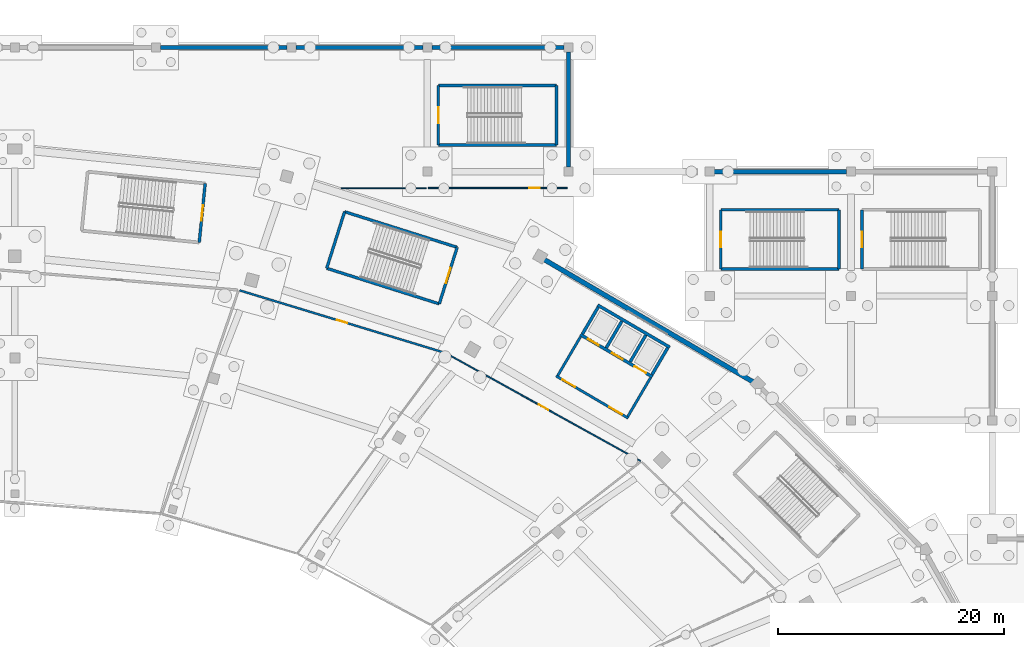
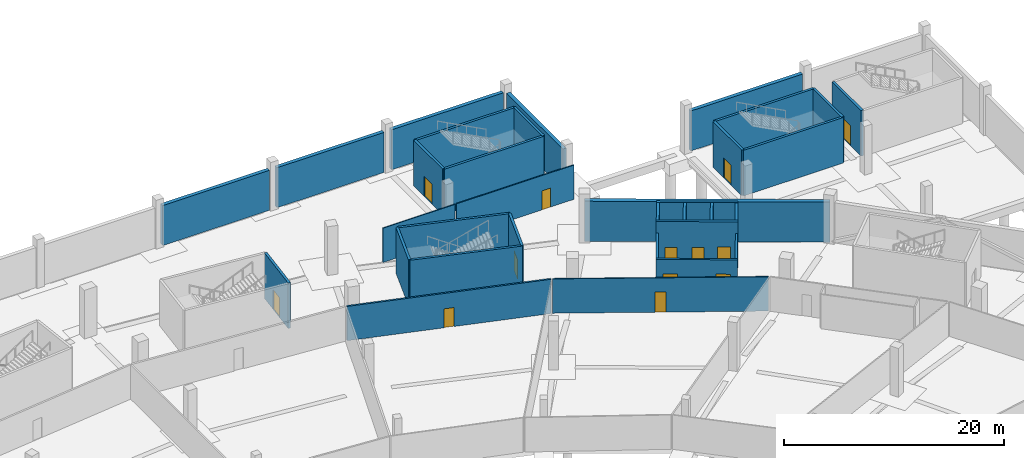
# One storey, part 47 of 74: 33 walls, 13 doors, 13 openings.
"""IFC4 building model written with IfcOpenShell, lengths in metres."""

from ifc_helpers import new_model, si_unit, direction, frame, frame_2d, origin, place, context, subcontext, project, spatial, rectangle, extrude, material, layer, layer_set, type_object, element, fill, save


model = new_model("IFC4")

# Units and contexts
model_context = context("Model", 3, precision=1e-05, world=origin(), true_north=direction((0.0, 1.0)))
body_context = subcontext(model_context, "Body", "Model", "MODEL_VIEW")
ifc_project = project(units=[si_unit("LENGTHUNIT", "METRE"), si_unit("AREAUNIT", "SQUARE_METRE"), si_unit("VOLUMEUNIT", "CUBIC_METRE"), si_unit("PLANEANGLEUNIT", "RADIAN"), si_unit("MASSUNIT", "GRAM", prefix="KILO")], contexts=[model_context])

# Site, building, storey
site_placement = place(None, origin())
site = spatial("IfcSite", under=ifc_project, at=site_placement, CompositionType="ELEMENT")
building_placement = place(site_placement, origin())
building = spatial("IfcBuilding", under=site, at=building_placement, Name="Zlatoyarsky Gate Stadium", CompositionType="ELEMENT")
storey_placement = place(building_placement, frame((0.0, 0.0, -5.39990234375)))
storey = spatial("IfcBuildingStorey", under=building, at=storey_placement, Name="B1", CompositionType="ELEMENT", Elevation=-5.39990234375)

# Wall, opening, door
ifc_material_1 = material(Name="Anodised aluminium acoustic operable wall", Category="aluminium")
ifc_layer_1 = layer(ifc_material_1, 0.114990234375)
ifc_layer_set_1 = layer_set([ifc_layer_1], Name="Anodised aluminium acoustic operable wall")
wall_type_1 = type_object("IfcWallType", Name="ACOUSTIC OPERABLE SUITE WALL 115", PredefinedType="MOVABLE", material=ifc_layer_set_1)
wall_1_placement = place(storey_placement, frame((147.5849609375, 147.550048828125, 0.0), z_axis=(0.0, 0.0, 1.0), x_axis=(1.0, 0.0, 0.0)))
wall_1 = element("IfcWall", 1, at=wall_1_placement, inside=storey, type_object=wall_type_1, Name="B1 interior partition PRT-B1-V2NC-SE2B", PredefinedType="MOVABLE", context=body_context, shape_type="SweptSolid", body=[
    extrude(rectangle(XDim=12.31005859375, YDim=0.114990234375, at=frame_2d((6.155029296875, 0.0))), origin(), (0.0, 0.0, 1.0), 3.7998046875),
])
opening_1_placement = place(wall_1_placement, frame((8.9599609375, 0.0, 0.0)))
opening_1 = element("IfcOpeningElement", 2, at=opening_1_placement, cuts=wall_1, Name="Opening D-B1-098", PredefinedType="OPENING", context=body_context, shape_type="SweptSolid", body=[
    extrude(rectangle(XDim=0.89990234375, YDim=2.10009765625, at=frame_2d((0.449951171875, 1.050048828125))), frame((0.0, 0.0673828125, 0.0), z_axis=(0.0, -1.0, 0.0), x_axis=(1.0, 0.0, 0.0)), (0.0, 0.0, 1.0), 0.135009765625),
])
ifc_material_2 = material(Name="Solid-core oak veneer acoustic door", Category="wood")
door_type_1 = type_object("IfcDoorType", Name="ACOUSTIC INTERIOR DOOR 900X2100", OperationType="NOTDEFINED", PredefinedType="DOOR", material=ifc_material_2)
door_1_placement = place(opening_1_placement, origin())
door_1 = element("IfcDoor", 3, at=door_1_placement, inside=storey, type_object=door_type_1, Name="B1 room door D-B1-098", OperationType="SINGLE_SWING_RIGHT", OverallHeight=2.10009765625, OverallWidth=0.89990234375, PredefinedType="DOOR", context=body_context, shape_type="SweptSolid", body=[
    extrude(rectangle(XDim=0.89990234375, YDim=2.10009765625, at=frame_2d((0.449951171875, 1.050048828125))), frame((0.0, 0.02490234375, 0.0), z_axis=(0.0, -1.0, 0.0), x_axis=(1.0, 0.0, 0.0)), (0.0, 0.0, 1.0), 0.050048828125),
])
fill(opening_1, door_1)

# Walls
ifc_material_3 = material(Name="Concrete C35/45", Category="concrete")
ifc_layer_2 = layer(ifc_material_3, 0.419921875)
ifc_layer_set_2 = layer_set([ifc_layer_2], Name="Concrete C35/45")
wall_type_2 = type_object("IfcWallType", Name="CONCRETE BASEMENT RETAINING WALL 420", PredefinedType="SOLIDWALL", material=ifc_layer_set_2)
wall_2_placement = place(storey_placement, frame((176.7255859375, 130.169189453125, 0.0), z_axis=(0.0, 0.0, 1.0), x_axis=(-0.862881315776, 0.505406603523, 0.0)))
element("IfcWall", 4, at=wall_2_placement, inside=storey, type_object=wall_type_2, Name="B1 perimeter retaining wall sector 03", PredefinedType="SOLIDWALL", context=body_context, shape_type="SweptSolid", body=[
    extrude(rectangle(XDim=22.3095703125, YDim=0.419921875, at=frame_2d((11.15478515625, 0.0))), origin(), (0.0, 0.0, 1.0), 4.449951171875),
])
ifc_material_4 = material(Name="Concrete C40/50", Category="concrete")
ifc_layer_3 = layer(ifc_material_4, 0.27001953125)
ifc_layer_set_3 = layer_set([ifc_layer_3], Name="Concrete C40/50")
wall_type_3 = type_object("IfcWallType", Name="CONCRETE LIFT SHAFT SHEAR WALL 270", PredefinedType="SHEAR", material=ifc_layer_set_3)
wall_3_placement = place(storey_placement, frame((168.962646484375, 133.458984375, 0.0), z_axis=(0.0, 0.0, 1.0), x_axis=(-0.862865684113, 0.505433290534, 0.0)))
element("IfcWall", 5, at=wall_3_placement, inside=storey, type_object=wall_type_3, Name="C1 B1 lift shaft rear wall", PredefinedType="SHEAR", context=body_context, shape_type="SweptSolid", body=[
    extrude(rectangle(XDim=7.400146484375, YDim=0.27001953125, at=frame_2d((3.7001953125, 0.0))), origin(), (0.0, 0.0, 1.0), 5.0498046875),
])
for number, where, z_axis, x_axis, name in (
    (6, (168.772705078125, 133.402099609375, 0.0), (0.0, 0.0, 1.0), (-0.505465660416, -0.862846722275, 0.0), "C1 B1 lift shaft left wall"),
    (7, (162.62060546875, 137.006103515625, 0.0), (0.0, 0.0, 1.0), (-0.505465660416, -0.862846722275, 0.0), "C1 B1 lift shaft right wall"),
):
    element("IfcWall", number, at=place(storey_placement, frame(where, z_axis=z_axis, x_axis=x_axis)), inside=storey, type_object=wall_type_3, Name=name, PredefinedType="SHEAR", context=body_context, shape_type="SweptSolid", body=[
        extrude(rectangle(XDim=2.739990234375, YDim=0.27001953125, at=frame_2d((1.3701171875, 0.0))), origin(), (0.0, 0.0, 1.0), 5.0498046875),
    ])
wall_4_placement = place(storey_placement, frame((166.840087890625, 134.5341796875, 0.0), z_axis=(0.0, 0.0, 1.0), x_axis=(-0.505504523015, -0.862823954936, 0.0)))
element("IfcWall", 8, at=wall_4_placement, inside=storey, type_object=wall_type_3, Name="C1 B1 lift shaft divider 1", PredefinedType="SHEAR", context=body_context, shape_type="SweptSolid", body=[
    extrude(rectangle(XDim=2.73974609375, YDim=0.27001953125, at=frame_2d((1.369873046875, 0.0))), origin(), (0.0, 0.0, 1.0), 5.0498046875),
])
wall_5_placement = place(storey_placement, frame((164.72607421875, 135.772705078125, 0.0), z_axis=(0.0, 0.0, 1.0), x_axis=(-0.505465660416, -0.862846722275, 0.0)))
element("IfcWall", 9, at=wall_5_placement, inside=storey, type_object=wall_type_3, Name="C1 B1 lift shaft divider 2", PredefinedType="SHEAR", context=body_context, shape_type="SweptSolid", body=[
    extrude(rectangle(XDim=2.739990234375, YDim=0.27001953125, at=frame_2d((1.3701171875, 0.0))), origin(), (0.0, 0.0, 1.0), 5.0498046875),
])

# Wall, openings, doors
wall_6_placement = place(storey_placement, frame((167.430908203125, 130.844482421875, 0.0), z_axis=(0.0, 0.0, 1.0), x_axis=(-0.862842866418, 0.505472242434, 0.0)))
wall_6 = element("IfcWall", 10, at=wall_6_placement, inside=storey, type_object=wall_type_3, Name="C1 B1 lift landing front wall", PredefinedType="SHEAR", context=body_context, shape_type="SweptSolid", body=[
    extrude(rectangle(XDim=7.39990234375, YDim=0.27001953125, at=frame_2d((3.699951171875, 0.0))), origin(), (0.0, 0.0, 1.0), 5.0498046875),
])
opening_2_placement = place(wall_6_placement, frame((0.64990234375, 0.0, 0.0)))
opening_2 = element("IfcOpeningElement", 11, at=opening_2_placement, cuts=wall_6, Name="Opening LD-FL-01-B1", PredefinedType="OPENING", context=body_context, shape_type="SweptSolid", body=[
    extrude(rectangle(XDim=1.199951171875, YDim=2.25, at=frame_2d((0.60009765625, 1.125))), frame((0.0, 0.14501953125, 0.0), z_axis=(0.0, -1.0, 0.0), x_axis=(1.0, 0.0, 0.0)), (0.0, 0.0, 1.0), 0.2900390625),
])
opening_3_placement = place(wall_6_placement, frame((3.050048828125, 0.0, 0.0)))
opening_3 = element("IfcOpeningElement", 12, at=opening_3_placement, cuts=wall_6, Name="Opening LD-LF-01-B1", PredefinedType="OPENING", context=body_context, shape_type="SweptSolid", body=[
    extrude(rectangle(XDim=1.10009765625, YDim=2.199951171875, at=frame_2d((0.550048828125, 1.10009765625))), frame((0.0, 0.14501953125, 0.0), z_axis=(0.0, -1.0, 0.0), x_axis=(1.0, 0.0, 0.0)), (0.0, 0.0, 1.0), 0.2900390625),
])
opening_4_placement = place(wall_6_placement, frame((5.5, 0.0, 0.0)))
opening_4 = element("IfcOpeningElement", 13, at=opening_4_placement, cuts=wall_6, Name="Opening LD-LF-02-B1", PredefinedType="OPENING", context=body_context, shape_type="SweptSolid", body=[
    extrude(rectangle(XDim=1.10009765625, YDim=2.199951171875, at=frame_2d((0.550048828125, 1.10009765625))), frame((0.0, 0.14501953125, 0.0), z_axis=(0.0, -1.0, 0.0), x_axis=(1.0, 0.0, 0.0)), (0.0, 0.0, 1.0), 0.2900390625),
])
ifc_material_5 = material(Name="Powder-coated steel fire door", Category="steel")
door_type_2 = type_object("IfcDoorType", Name="STAINLESS LIFT LANDING SLIDING DOOR 1100X2200", OperationType="DOUBLE_DOOR_SLIDING", PredefinedType="DOOR", material=ifc_material_5)
door_2_placement = place(opening_3_placement, origin())
door_2 = element("IfcDoor", 14, at=door_2_placement, inside=storey, type_object=door_type_2, Name="Lift LF-01 B1 sliding landing door", OperationType="DOUBLE_DOOR_SLIDING", OverallHeight=2.199951171875, OverallWidth=1.10009765625, PredefinedType="DOOR", context=body_context, shape_type="SweptSolid", body=[
    extrude(rectangle(XDim=1.10009765625, YDim=2.199951171875, at=frame_2d((0.550048828125, 1.10009765625))), frame((0.0, 0.02490234375, 0.0), z_axis=(0.0, -1.0, 0.0), x_axis=(1.0, 0.0, 0.0)), (0.0, 0.0, 1.0), 0.050048828125),
])
fill(opening_3, door_2)
door_3_placement = place(opening_4_placement, origin())
door_3 = element("IfcDoor", 15, at=door_3_placement, inside=storey, type_object=door_type_2, Name="Lift LF-02 B1 sliding landing door", OperationType="DOUBLE_DOOR_SLIDING", OverallHeight=2.199951171875, OverallWidth=1.10009765625, PredefinedType="DOOR", context=body_context, shape_type="SweptSolid", body=[
    extrude(rectangle(XDim=1.10009765625, YDim=2.199951171875, at=frame_2d((0.550048828125, 1.10009765625))), frame((0.0, 0.02490234375, 0.0), z_axis=(0.0, -1.0, 0.0), x_axis=(1.0, 0.0, 0.0)), (0.0, 0.0, 1.0), 0.050048828125),
])
fill(opening_4, door_3)
door_type_3 = type_object("IfcDoorType", Name="STAINLESS LIFT LANDING SLIDING DOOR 1200X2250", OperationType="DOUBLE_DOOR_SLIDING", PredefinedType="DOOR", material=ifc_material_5)
door_4_placement = place(opening_2_placement, origin())
door_4 = element("IfcDoor", 16, at=door_4_placement, inside=storey, type_object=door_type_3, Name="Lift FL-01 B1 sliding landing door", OperationType="DOUBLE_DOOR_SLIDING", OverallHeight=2.25, OverallWidth=1.199951171875, PredefinedType="DOOR", context=body_context, shape_type="SweptSolid", body=[
    extrude(rectangle(XDim=1.199951171875, YDim=2.25, at=frame_2d((0.60009765625, 1.125))), frame((0.0, 0.02490234375, 0.0), z_axis=(0.0, -1.0, 0.0), x_axis=(1.0, 0.0, 0.0)), (0.0, 0.0, 1.0), 0.050048828125),
])
fill(opening_2, door_4)

# Walls
ifc_layer_4 = layer(ifc_material_3, 0.3798828125)
ifc_layer_set_4 = layer_set([ifc_layer_4], Name="Concrete C35/45")
wall_type_4 = type_object("IfcWallType", Name="CONCRETE RAMP RETAINING WALL 380", PredefinedType="SOLIDWALL", material=ifc_layer_set_4)
for number, where, z_axis, x_axis, name in (
    (17, (123.89697265625, 160.0, 0.0), (0.0, 0.0, 1.0), (1.0, 0.0, 0.0), "V2_NORTH B1 N exterior wall"),
    (18, (135.89697265625, 160.0, 0.0), (0.0, 0.0, 1.0), (1.0, 0.0, 0.0), "V2_NORTH B1 N exterior wall"),
):
    element("IfcWall", number, at=place(storey_placement, frame(where, z_axis=z_axis, x_axis=x_axis)), inside=storey, type_object=wall_type_4, Name=name, PredefinedType="SOLIDWALL", context=body_context, shape_type="SweptSolid", body=[
        extrude(rectangle(XDim=11.2060546875, YDim=0.3798828125, at=frame_2d((5.60302734375, 0.0))), origin(), (0.0, 0.0, 1.0), 4.429931640625),
    ])
wall_7_placement = place(storey_placement, frame((147.89697265625, 160.0, 0.0), z_axis=(0.0, 0.0, 1.0), x_axis=(1.0, 0.0, 0.0)))
element("IfcWall", 19, at=wall_7_placement, inside=storey, type_object=wall_type_4, Name="V2_NORTH B1 N exterior wall", PredefinedType="SOLIDWALL", context=body_context, shape_type="SweptSolid", body=[
    extrude(rectangle(XDim=11.7060546875, YDim=0.3798828125, at=frame_2d((5.85302734375, 0.0))), origin(), (0.0, 0.0, 1.0), 4.429931640625),
])
wall_8_placement = place(storey_placement, frame((160.0, 149.39697265625, 0.0), z_axis=(0.0, 0.0, 1.0), x_axis=(0.0, 1.0, 0.0)))
element("IfcWall", 20, at=wall_8_placement, inside=storey, type_object=wall_type_4, Name="V2_NORTH B1 E exterior wall", PredefinedType="SOLIDWALL", context=body_context, shape_type="SweptSolid", body=[
    extrude(rectangle(XDim=10.2060546875, YDim=0.3798828125, at=frame_2d((5.10302734375, 0.0))), origin(), (0.0, 0.0, 1.0), 4.429931640625),
])
wall_9_placement = place(storey_placement, frame((172.89697265625, 149.0, 0.0), z_axis=(0.0, 0.0, 1.0), x_axis=(1.0, 0.0, 0.0)))
element("IfcWall", 21, at=wall_9_placement, inside=storey, type_object=wall_type_4, Name="V6_NE B1 N exterior wall", PredefinedType="SOLIDWALL", context=body_context, shape_type="SweptSolid", body=[
    extrude(rectangle(XDim=11.7060546875, YDim=0.3798828125, at=frame_2d((5.85302734375, 0.0))), origin(), (0.0, 0.0, 1.0), 4.429931640625),
])

# Wall, opening, door
ifc_layer_5 = layer(ifc_material_4, 0.25)
ifc_layer_set_5 = layer_set([ifc_layer_5], Name="Concrete C40/50")
wall_type_5 = type_object("IfcWallType", Name="CONCRETE STAIR CORE SHEAR WALL 250", PredefinedType="SHEAR", material=ifc_layer_set_5)
wall_10_placement = place(storey_placement, frame((148.563232421875, 137.30126953125, 0.0), z_axis=(0.0, 0.0, 1.0), x_axis=(0.30152749866, 0.953457480726, 0.0)))
wall_10 = element("IfcWall", 22, at=wall_10_placement, inside=storey, type_object=wall_type_5, Name="ST-03 B1 stair core entrance shear wall", PredefinedType="SHEAR", context=body_context, shape_type="SweptSolid", body=[
    extrude(rectangle(XDim=5.25, YDim=0.25, at=frame_2d((2.625, 0.0))), origin(), (0.0, 0.0, 1.0), 5.0498046875),
])
opening_5_placement = place(wall_10_placement, frame((1.925048828125, 0.0, 0.0)))
opening_5 = element("IfcOpeningElement", 23, at=opening_5_placement, cuts=wall_10, Name="Opening SD-ST-03-B1", PredefinedType="OPENING", context=body_context, shape_type="SweptSolid", body=[
    extrude(rectangle(XDim=1.39990234375, YDim=2.199951171875, at=frame_2d((0.699951171875, 1.10009765625))), frame((0.0, 0.135009765625, 0.0), z_axis=(0.0, -1.0, 0.0), x_axis=(1.0, 0.0, 0.0)), (0.0, 0.0, 1.0), 0.27001953125),
])
door_type_4 = type_object("IfcDoorType", Name="STAIR CORE FIRE EXIT DOOR 1400X2200", OperationType="NOTDEFINED", PredefinedType="DOOR", material=ifc_material_5)
door_5_placement = place(opening_5_placement, frame((1.39990234375, 0.0, 0.0), z_axis=(0.0, 0.0, 1.0), x_axis=(-1.0, 0.0, 0.0)))
door_5 = element("IfcDoor", 24, at=door_5_placement, inside=storey, type_object=door_type_4, Name="ST-03 B1 stair fire door", OperationType="SINGLE_SWING_RIGHT", OverallHeight=2.199951171875, OverallWidth=1.39990234375, PredefinedType="DOOR", context=body_context, shape_type="SweptSolid", body=[
    extrude(rectangle(XDim=1.39990234375, YDim=2.199951171875, at=frame_2d((0.699951171875, 1.10009765625))), frame((0.0, 0.02490234375, 0.0), z_axis=(0.0, -1.0, 0.0), x_axis=(1.0, 0.0, 0.0)), (0.0, 0.0, 1.0), 0.050048828125),
])
fill(opening_5, door_5)

# Walls
wall_11_placement = place(storey_placement, frame((150.146240234375, 142.306884765625, 0.0), z_axis=(0.0, 0.0, 1.0), x_axis=(-0.953461834254, 0.301513732061, 0.0)))
element("IfcWall", 25, at=wall_11_placement, inside=storey, type_object=wall_type_5, Name="ST-03 B1 stair core left shear wall", PredefinedType="SHEAR", context=body_context, shape_type="SweptSolid", body=[
    extrude(rectangle(XDim=10.4501953125, YDim=0.25, at=frame_2d((5.22509765625, 0.0))), origin(), (0.0, 0.0, 1.0), 5.0498046875),
])
wall_12_placement = place(storey_placement, frame((140.182373046875, 145.457763671875, 0.0), z_axis=(0.0, 0.0, 1.0), x_axis=(-0.301485222482, -0.953470849384, 0.0)))
element("IfcWall", 26, at=wall_12_placement, inside=storey, type_object=wall_type_5, Name="ST-03 B1 stair core far shear wall", PredefinedType="SHEAR", context=body_context, shape_type="SweptSolid", body=[
    extrude(rectangle(XDim=5.25, YDim=0.25, at=frame_2d((2.625, 0.0))), origin(), (0.0, 0.0, 1.0), 5.0498046875),
])
wall_13_placement = place(storey_placement, frame((138.599609375, 140.4521484375, 0.0), z_axis=(0.0, 0.0, 1.0), x_axis=(0.953459710305, -0.301520448438, 0.0)))
element("IfcWall", 27, at=wall_13_placement, inside=storey, type_object=wall_type_5, Name="ST-03 B1 stair core right shear wall", PredefinedType="SHEAR", context=body_context, shape_type="SweptSolid", body=[
    extrude(rectangle(XDim=10.449951171875, YDim=0.25, at=frame_2d((5.22509765625, 0.0))), origin(), (0.0, 0.0, 1.0), 5.0498046875),
])

# Wall, opening, door
wall_14_placement = place(storey_placement, frame((127.319091796875, 142.73388671875, 0.0), z_axis=(0.0, 0.0, 1.0), x_axis=(0.10002396577, 0.994985028165, 0.0)))
wall_14 = element("IfcWall", 28, at=wall_14_placement, inside=storey, type_object=wall_type_5, Name="ST-17 B1 stair core entrance shear wall", PredefinedType="SHEAR", context=body_context, shape_type="SweptSolid", body=[
    extrude(rectangle(XDim=5.250244140625, YDim=0.25, at=frame_2d((2.625, 0.0))), origin(), (0.0, 0.0, 1.0), 5.0498046875),
])
opening_6_placement = place(wall_14_placement, frame((1.925048828125, 0.0, 0.0)))
opening_6 = element("IfcOpeningElement", 29, at=opening_6_placement, cuts=wall_14, Name="Opening SD-ST-17-B1", PredefinedType="OPENING", context=body_context, shape_type="SweptSolid", body=[
    extrude(rectangle(XDim=1.39990234375, YDim=2.199951171875, at=frame_2d((0.699951171875, 1.10009765625))), frame((0.0, 0.135009765625, 0.0), z_axis=(0.0, -1.0, 0.0), x_axis=(1.0, 0.0, 0.0)), (0.0, 0.0, 1.0), 0.27001953125),
])
door_6_placement = place(opening_6_placement, frame((1.39990234375, 0.0, 0.0), z_axis=(0.0, 0.0, 1.0), x_axis=(-1.0, 0.0, 0.0)))
door_6 = element("IfcDoor", 30, at=door_6_placement, inside=storey, type_object=door_type_4, Name="ST-17 B1 stair fire door", OperationType="SINGLE_SWING_LEFT", OverallHeight=2.199951171875, OverallWidth=1.39990234375, PredefinedType="DOOR", context=body_context, shape_type="SweptSolid", body=[
    extrude(rectangle(XDim=1.39990234375, YDim=2.199951171875, at=frame_2d((0.699951171875, 1.10009765625))), frame((0.0, 0.02490234375, 0.0), z_axis=(0.0, -1.0, 0.0), x_axis=(1.0, 0.0, 0.0)), (0.0, 0.0, 1.0), 0.050048828125),
])
fill(opening_6, door_6)

wall_15_placement = place(storey_placement, frame((173.47509765625, 145.625, 0.0), z_axis=(0.0, 0.0, 1.0), x_axis=(0.0, -1.0, 0.0)))
wall_15 = element("IfcWall", 31, at=wall_15_placement, inside=storey, type_object=wall_type_5, Name="ST-27 B1 stair core entrance shear wall", PredefinedType="SHEAR", context=body_context, shape_type="SweptSolid", body=[
    extrude(rectangle(XDim=5.25, YDim=0.25, at=frame_2d((2.625, 0.0))), origin(), (0.0, 0.0, 1.0), 5.0498046875),
])
opening_7_placement = place(wall_15_placement, frame((1.925048828125, 0.0, 0.0)))
opening_7 = element("IfcOpeningElement", 32, at=opening_7_placement, cuts=wall_15, Name="Opening SD-ST-27-B1", PredefinedType="OPENING", context=body_context, shape_type="SweptSolid", body=[
    extrude(rectangle(XDim=1.39990234375, YDim=2.199951171875, at=frame_2d((0.699951171875, 1.10009765625))), frame((0.0, 0.135009765625, 0.0), z_axis=(0.0, -1.0, 0.0), x_axis=(1.0, 0.0, 0.0)), (0.0, 0.0, 1.0), 0.27001953125),
])
door_7_placement = place(opening_7_placement, frame((1.39990234375, 0.0, 0.0), z_axis=(0.0, 0.0, 1.0), x_axis=(-1.0, 0.0, 0.0)))
door_7 = element("IfcDoor", 33, at=door_7_placement, inside=storey, type_object=door_type_4, Name="ST-27 B1 stair fire door", OperationType="SINGLE_SWING_LEFT", OverallHeight=2.199951171875, OverallWidth=1.39990234375, PredefinedType="DOOR", context=body_context, shape_type="SweptSolid", body=[
    extrude(rectangle(XDim=1.39990234375, YDim=2.199951171875, at=frame_2d((0.699951171875, 1.10009765625))), frame((0.0, 0.02490234375, 0.0), z_axis=(0.0, -1.0, 0.0), x_axis=(1.0, 0.0, 0.0)), (0.0, 0.0, 1.0), 0.050048828125),
])
fill(opening_7, door_7)

# Walls
wall_16_placement = place(storey_placement, frame((173.47509765625, 140.375, 0.0), z_axis=(0.0, 0.0, 1.0), x_axis=(1.0, 0.0, 0.0)))
element("IfcWall", 34, at=wall_16_placement, inside=storey, type_object=wall_type_5, Name="ST-27 B1 stair core left shear wall", PredefinedType="SHEAR", context=body_context, shape_type="SweptSolid", body=[
    extrude(rectangle(XDim=10.449951171875, YDim=0.25, at=frame_2d((5.22509765625, 0.0))), origin(), (0.0, 0.0, 1.0), 5.0498046875),
])
wall_17_placement = place(storey_placement, frame((183.925048828125, 140.375, 0.0), z_axis=(0.0, 0.0, 1.0), x_axis=(0.0, 1.0, 0.0)))
element("IfcWall", 35, at=wall_17_placement, inside=storey, type_object=wall_type_5, Name="ST-27 B1 stair core far shear wall", PredefinedType="SHEAR", context=body_context, shape_type="SweptSolid", body=[
    extrude(rectangle(XDim=5.25, YDim=0.25, at=frame_2d((2.625, 0.0))), origin(), (0.0, 0.0, 1.0), 5.0498046875),
])
wall_18_placement = place(storey_placement, frame((183.925048828125, 145.625, 0.0), z_axis=(0.0, 0.0, 1.0), x_axis=(-1.0, 0.0, 0.0)))
element("IfcWall", 36, at=wall_18_placement, inside=storey, type_object=wall_type_5, Name="ST-27 B1 stair core right shear wall", PredefinedType="SHEAR", context=body_context, shape_type="SweptSolid", body=[
    extrude(rectangle(XDim=10.449951171875, YDim=0.25, at=frame_2d((5.22509765625, 0.0))), origin(), (0.0, 0.0, 1.0), 5.0498046875),
])

# Wall, opening, door
wall_19_placement = place(storey_placement, frame((185.97509765625, 145.625, 0.0), z_axis=(0.0, 0.0, 1.0), x_axis=(0.0, -1.0, 0.0)))
wall_19 = element("IfcWall", 37, at=wall_19_placement, inside=storey, type_object=wall_type_5, Name="ST-28 B1 stair core entrance shear wall", PredefinedType="SHEAR", context=body_context, shape_type="SweptSolid", body=[
    extrude(rectangle(XDim=5.25, YDim=0.25, at=frame_2d((2.625, 0.0))), origin(), (0.0, 0.0, 1.0), 5.0498046875),
])
opening_8_placement = place(wall_19_placement, frame((1.925048828125, 0.0, 0.0)))
opening_8 = element("IfcOpeningElement", 38, at=opening_8_placement, cuts=wall_19, Name="Opening SD-ST-28-B1", PredefinedType="OPENING", context=body_context, shape_type="SweptSolid", body=[
    extrude(rectangle(XDim=1.39990234375, YDim=2.199951171875, at=frame_2d((0.699951171875, 1.10009765625))), frame((0.0, 0.135009765625, 0.0), z_axis=(0.0, -1.0, 0.0), x_axis=(1.0, 0.0, 0.0)), (0.0, 0.0, 1.0), 0.27001953125),
])
door_8_placement = place(opening_8_placement, frame((1.39990234375, 0.0, 0.0), z_axis=(0.0, 0.0, 1.0), x_axis=(-1.0, 0.0, 0.0)))
door_8 = element("IfcDoor", 39, at=door_8_placement, inside=storey, type_object=door_type_4, Name="ST-28 B1 stair fire door", OperationType="SINGLE_SWING_RIGHT", OverallHeight=2.199951171875, OverallWidth=1.39990234375, PredefinedType="DOOR", context=body_context, shape_type="SweptSolid", body=[
    extrude(rectangle(XDim=1.39990234375, YDim=2.199951171875, at=frame_2d((0.699951171875, 1.10009765625))), frame((0.0, 0.02490234375, 0.0), z_axis=(0.0, -1.0, 0.0), x_axis=(1.0, 0.0, 0.0)), (0.0, 0.0, 1.0), 0.050048828125),
])
fill(opening_8, door_8)

wall_20_placement = place(storey_placement, frame((148.47509765625, 156.625, 0.0), z_axis=(0.0, 0.0, 1.0), x_axis=(0.0, -1.0, 0.0)))
wall_20 = element("IfcWall", 40, at=wall_20_placement, inside=storey, type_object=wall_type_5, Name="ST-32 B1 stair core entrance shear wall", PredefinedType="SHEAR", context=body_context, shape_type="SweptSolid", body=[
    extrude(rectangle(XDim=5.25, YDim=0.25, at=frame_2d((2.625, 0.0))), origin(), (0.0, 0.0, 1.0), 5.0498046875),
])
opening_9_placement = place(wall_20_placement, frame((1.925048828125, 0.0, 0.0)))
opening_9 = element("IfcOpeningElement", 41, at=opening_9_placement, cuts=wall_20, Name="Opening SD-ST-32-B1", PredefinedType="OPENING", context=body_context, shape_type="SweptSolid", body=[
    extrude(rectangle(XDim=1.39990234375, YDim=2.199951171875, at=frame_2d((0.699951171875, 1.10009765625))), frame((0.0, 0.135009765625, 0.0), z_axis=(0.0, -1.0, 0.0), x_axis=(1.0, 0.0, 0.0)), (0.0, 0.0, 1.0), 0.27001953125),
])
door_9_placement = place(opening_9_placement, frame((1.39990234375, 0.0, 0.0), z_axis=(0.0, 0.0, 1.0), x_axis=(-1.0, 0.0, 0.0)))
door_9 = element("IfcDoor", 42, at=door_9_placement, inside=storey, type_object=door_type_4, Name="ST-32 B1 stair fire door", OperationType="SINGLE_SWING_RIGHT", OverallHeight=2.199951171875, OverallWidth=1.39990234375, PredefinedType="DOOR", context=body_context, shape_type="SweptSolid", body=[
    extrude(rectangle(XDim=1.39990234375, YDim=2.199951171875, at=frame_2d((0.699951171875, 1.10009765625))), frame((0.0, 0.02490234375, 0.0), z_axis=(0.0, -1.0, 0.0), x_axis=(1.0, 0.0, 0.0)), (0.0, 0.0, 1.0), 0.050048828125),
])
fill(opening_9, door_9)

# Walls
wall_21_placement = place(storey_placement, frame((148.47509765625, 151.375, 0.0), z_axis=(0.0, 0.0, 1.0), x_axis=(1.0, 0.0, 0.0)))
element("IfcWall", 43, at=wall_21_placement, inside=storey, type_object=wall_type_5, Name="ST-32 B1 stair core left shear wall", PredefinedType="SHEAR", context=body_context, shape_type="SweptSolid", body=[
    extrude(rectangle(XDim=10.449951171875, YDim=0.25, at=frame_2d((5.22509765625, 0.0))), origin(), (0.0, 0.0, 1.0), 5.0498046875),
])
wall_22_placement = place(storey_placement, frame((158.925048828125, 151.375, 0.0), z_axis=(0.0, 0.0, 1.0), x_axis=(0.0, 1.0, 0.0)))
element("IfcWall", 44, at=wall_22_placement, inside=storey, type_object=wall_type_5, Name="ST-32 B1 stair core far shear wall", PredefinedType="SHEAR", context=body_context, shape_type="SweptSolid", body=[
    extrude(rectangle(XDim=5.25, YDim=0.25, at=frame_2d((2.625, 0.0))), origin(), (0.0, 0.0, 1.0), 5.0498046875),
])
wall_23_placement = place(storey_placement, frame((158.925048828125, 156.625, 0.0), z_axis=(0.0, 0.0, 1.0), x_axis=(-1.0, 0.0, 0.0)))
element("IfcWall", 45, at=wall_23_placement, inside=storey, type_object=wall_type_5, Name="ST-32 B1 stair core right shear wall", PredefinedType="SHEAR", context=body_context, shape_type="SweptSolid", body=[
    extrude(rectangle(XDim=10.449951171875, YDim=0.25, at=frame_2d((5.22509765625, 0.0))), origin(), (0.0, 0.0, 1.0), 5.0498046875),
])
ifc_material_6 = material(Name="Autoclaved aerated concrete masonry EI 120", Category="masonry")
ifc_layer_6 = layer(ifc_material_6, 0.219970703125)
ifc_layer_set_6 = layer_set([ifc_layer_6], Name="Autoclaved aerated concrete masonry EI 120")
wall_type_6 = type_object("IfcWallType", Name="FIREFIGHTING LOBBY RATED WALL 220", PredefinedType="PARTITIONING", material=ifc_layer_set_6)
for number, where, z_axis, x_axis, name in (
    (46, (167.2578125, 130.766357421875, 0.0), (0.0, 0.0, 1.0), (-0.505464443681, -0.862847435051, 0.0), "C1 B1 firefighting lobby left wall"),
    (47, (161.0625, 134.3955078125, 0.0), (0.0, 0.0, 1.0), (-0.505464443681, -0.862847435051, 0.0), "C1 B1 firefighting lobby right wall"),
):
    element("IfcWall", number, at=place(storey_placement, frame(where, z_axis=z_axis, x_axis=x_axis)), inside=storey, type_object=wall_type_6, Name=name, PredefinedType="PARTITIONING", context=body_context, shape_type="SweptSolid", body=[
        extrude(rectangle(XDim=3.97998046875, YDim=0.219970703125, at=frame_2d((1.989990234375, 0.0))), origin(), (0.0, 0.0, 1.0), 3.7998046875),
    ])

# Wall, openings, doors
wall_24_placement = place(storey_placement, frame((165.285400390625, 127.181640625, 0.0), z_axis=(0.0, 0.0, 1.0), x_axis=(-0.862851295616, 0.505457853488, 0.0)))
wall_24 = element("IfcWall", 48, at=wall_24_placement, inside=storey, type_object=wall_type_6, Name="C1 B1 firefighting lobby front wall", PredefinedType="PARTITIONING", context=body_context, shape_type="SweptSolid", body=[
    extrude(rectangle(XDim=7.400146484375, YDim=0.219970703125, at=frame_2d((3.7001953125, 0.0))), origin(), (0.0, 0.0, 1.0), 3.7998046875),
])
opening_10_placement = place(wall_24_placement, frame((0.64990234375, 0.0, 0.0)))
opening_10 = element("IfcOpeningElement", 49, at=opening_10_placement, cuts=wall_24, Name="Opening FD-C1-B1-A", PredefinedType="OPENING", context=body_context, shape_type="SweptSolid", body=[
    extrude(rectangle(XDim=1.300048828125, YDim=2.199951171875, at=frame_2d((0.64990234375, 1.10009765625))), frame((0.0, 0.119873046875, 0.0), z_axis=(0.0, -1.0, 0.0), x_axis=(1.0, 0.0, 0.0)), (0.0, 0.0, 1.0), 0.239990234375),
])
opening_11_placement = place(wall_24_placement, frame((5.449951171875, 0.0, 0.0)))
opening_11 = element("IfcOpeningElement", 50, at=opening_11_placement, cuts=wall_24, Name="Opening FD-C1-B1-B", PredefinedType="OPENING", context=body_context, shape_type="SweptSolid", body=[
    extrude(rectangle(XDim=1.300048828125, YDim=2.199951171875, at=frame_2d((0.64990234375, 1.10009765625))), frame((0.0, 0.119873046875, 0.0), z_axis=(0.0, -1.0, 0.0), x_axis=(1.0, 0.0, 0.0)), (0.0, 0.0, 1.0), 0.239990234375),
])
door_type_5 = type_object("IfcDoorType", Name="FIREFIGHTING LOBBY FIRE DOOR 1300X2200", OperationType="NOTDEFINED", PredefinedType="DOOR", material=ifc_material_5)
door_10_placement = place(opening_10_placement, origin())
door_10 = element("IfcDoor", 51, at=door_10_placement, inside=storey, type_object=door_type_5, Name="C1 B1 firefighting lobby fire door FD-C1-B1-A", OperationType="SINGLE_SWING_LEFT", OverallHeight=2.199951171875, OverallWidth=1.300048828125, PredefinedType="DOOR", context=body_context, shape_type="SweptSolid", body=[
    extrude(rectangle(XDim=1.300048828125, YDim=2.199951171875, at=frame_2d((0.64990234375, 1.10009765625))), frame((0.0, 0.02490234375, 0.0), z_axis=(0.0, -1.0, 0.0), x_axis=(1.0, 0.0, 0.0)), (0.0, 0.0, 1.0), 0.050048828125),
])
fill(opening_10, door_10)
door_11_placement = place(opening_11_placement, origin())
door_11 = element("IfcDoor", 52, at=door_11_placement, inside=storey, type_object=door_type_5, Name="C1 B1 firefighting lobby fire door FD-C1-B1-B", OperationType="SINGLE_SWING_RIGHT", OverallHeight=2.199951171875, OverallWidth=1.300048828125, PredefinedType="DOOR", context=body_context, shape_type="SweptSolid", body=[
    extrude(rectangle(XDim=1.300048828125, YDim=2.199951171875, at=frame_2d((0.64990234375, 1.10009765625))), frame((0.0, 0.02490234375, 0.0), z_axis=(0.0, -1.0, 0.0), x_axis=(1.0, 0.0, 0.0)), (0.0, 0.0, 1.0), 0.050048828125),
])
fill(opening_11, door_11)

# Wall, opening, door
ifc_material_7 = material(Name="Metal-stud gypsum partition", Category="gypsum")
ifc_layer_7 = layer(ifc_material_7, 0.110107421875)
ifc_layer_set_7 = layer_set([ifc_layer_7], Name="Metal-stud gypsum partition")
wall_type_7 = type_object("IfcWallType", Name="KIOSK SERVICE PARTITION 110", PredefinedType="PARTITIONING", material=ifc_layer_set_7)
wall_25_placement = place(storey_placement, frame((166.35888671875, 123.3994140625, 0.0), z_axis=(0.0, 0.0, 1.0), x_axis=(-0.874574509401, 0.484891150162, 0.0)))
wall_25 = element("IfcWall", 53, at=wall_25_placement, inside=storey, type_object=wall_type_7, Name="B1 interior partition PRT-B1-ICC-03", PredefinedType="PARTITIONING", context=body_context, shape_type="SweptSolid", body=[
    extrude(rectangle(XDim=19.609130859375, YDim=0.110107421875, at=frame_2d((9.8046875, 0.0))), origin(), (0.0, 0.0, 1.0), 3.7998046875),
])
opening_12_placement = place(wall_25_placement, frame((9.324462890625, 0.0, 0.0)))
opening_12 = element("IfcOpeningElement", 54, at=opening_12_placement, cuts=wall_25, Name="Opening D-B1-016", PredefinedType="OPENING", context=body_context, shape_type="SweptSolid", body=[
    extrude(rectangle(XDim=0.9599609375, YDim=2.239990234375, at=frame_2d((0.47998046875, 1.1201171875))), frame((0.0, 0.06494140625, 0.0), z_axis=(0.0, -1.0, 0.0), x_axis=(1.0, 0.0, 0.0)), (0.0, 0.0, 1.0), 0.130126953125),
])
door_type_6 = type_object("IfcDoorType", Name="ACOUSTIC INTERIOR DOOR 960X2240", OperationType="NOTDEFINED", PredefinedType="DOOR", material=ifc_material_2)
door_12_placement = place(opening_12_placement, origin())
door_12 = element("IfcDoor", 55, at=door_12_placement, inside=storey, type_object=door_type_6, Name="B1 room door D-B1-016", OperationType="SINGLE_SWING_LEFT", OverallHeight=2.239990234375, OverallWidth=0.9599609375, PredefinedType="DOOR", context=body_context, shape_type="SweptSolid", body=[
    extrude(rectangle(XDim=0.9599609375, YDim=2.239990234375, at=frame_2d((0.47998046875, 1.1201171875))), frame((0.0, 0.02490234375, 0.0), z_axis=(0.0, -1.0, 0.0), x_axis=(1.0, 0.0, 0.0)), (0.0, 0.0, 1.0), 0.050048828125),
])
fill(opening_12, door_12)

# Wall
ifc_layer_8 = layer(ifc_material_7, 0.10009765625)
ifc_layer_set_8 = layer_set([ifc_layer_8], Name="Metal-stud gypsum partition")
wall_type_8 = type_object("IfcWallType", Name="LIGHT STORAGE PARTITION 100", PredefinedType="PARTITIONING", material=ifc_layer_set_8)
wall_26_placement = place(storey_placement, frame((139.897705078125, 147.550048828125, 0.0), z_axis=(0.0, 0.0, 1.0), x_axis=(1.0, 0.0, 0.0)))
element("IfcWall", 56, at=wall_26_placement, inside=storey, type_object=wall_type_8, Name="B1 interior partition PRT-B1-V2NC-SE2A", PredefinedType="PARTITIONING", context=body_context, shape_type="SweptSolid", body=[
    extrude(rectangle(XDim=7.517333984375, YDim=0.10009765625, at=frame_2d((3.7587890625, 0.0))), origin(), (0.0, 0.0, 1.0), 3.7998046875),
])

# Wall, opening, door
ifc_material_8 = material(Name="Gypsum-clad mineral wool fire partition", Category="gypsum")
ifc_layer_9 = layer(ifc_material_8, 0.179931640625)
ifc_layer_set_9 = layer_set([ifc_layer_9], Name="Gypsum-clad mineral wool fire partition")
wall_type_9 = type_object("IfcWallType", Name="PLANT AND KITCHEN RATED WALL 180", PredefinedType="PARTITIONING", material=ifc_layer_set_9)
wall_27_placement = place(storey_placement, frame((149.0537109375, 132.973388671875, 0.0), z_axis=(0.0, 0.0, 1.0), x_axis=(-0.956723233709, 0.290999405637, 0.0)))
wall_27 = element("IfcWall", 57, at=wall_27_placement, inside=storey, type_object=wall_type_9, Name="B1 interior partition PRT-B1-ICC-04", PredefinedType="PARTITIONING", context=body_context, shape_type="SweptSolid", body=[
    extrude(rectangle(XDim=18.98583984375, YDim=0.179931640625, at=frame_2d((9.492919921875, 0.0))), origin(), (0.0, 0.0, 1.0), 3.7998046875),
])
opening_13_placement = place(wall_27_placement, frame((9.012939453125, 0.0, 0.0)))
opening_13 = element("IfcOpeningElement", 58, at=opening_13_placement, cuts=wall_27, Name="Opening D-B1-019", PredefinedType="OPENING", context=body_context, shape_type="SweptSolid", body=[
    extrude(rectangle(XDim=0.9599609375, YDim=2.10009765625, at=frame_2d((0.47998046875, 1.050048828125))), frame((0.0, 0.099853515625, 0.0), z_axis=(0.0, -1.0, 0.0), x_axis=(1.0, 0.0, 0.0)), (0.0, 0.0, 1.0), 0.199951171875),
])
door_type_7 = type_object("IfcDoorType", Name="ACOUSTIC INTERIOR DOOR 960X2100", OperationType="NOTDEFINED", PredefinedType="DOOR", material=ifc_material_5)
door_13_placement = place(opening_13_placement, origin())
door_13 = element("IfcDoor", 59, at=door_13_placement, inside=storey, type_object=door_type_7, Name="B1 room door D-B1-019", OperationType="SINGLE_SWING_RIGHT", OverallHeight=2.10009765625, OverallWidth=0.9599609375, PredefinedType="DOOR", context=body_context, shape_type="SweptSolid", body=[
    extrude(rectangle(XDim=0.9599609375, YDim=2.10009765625, at=frame_2d((0.47998046875, 1.050048828125))), frame((0.0, 0.02490234375, 0.0), z_axis=(0.0, -1.0, 0.0), x_axis=(1.0, 0.0, 0.0)), (0.0, 0.0, 1.0), 0.050048828125),
])
fill(opening_13, door_13)

save(model, "model.ifc")
